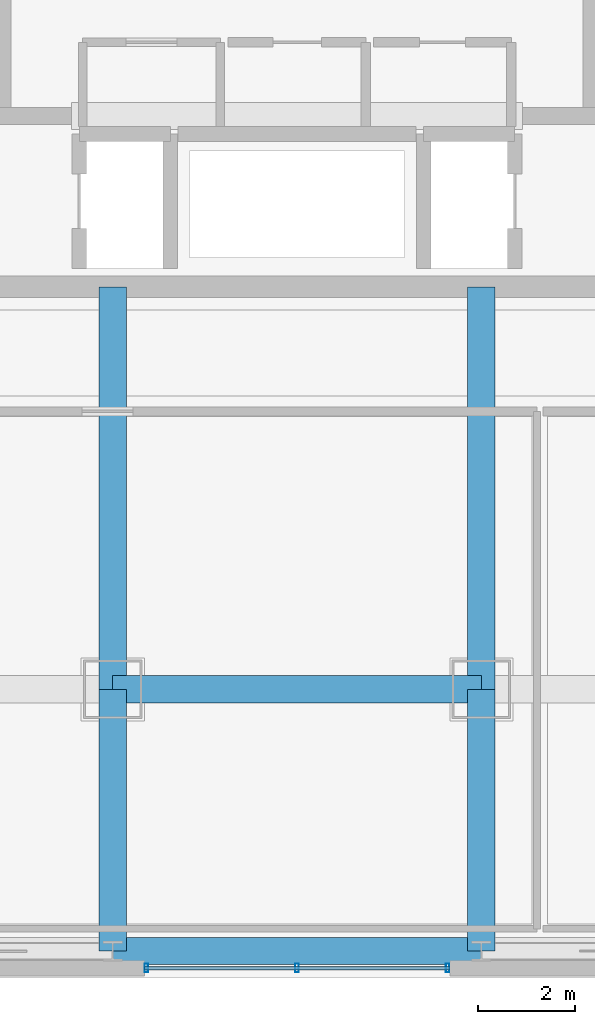
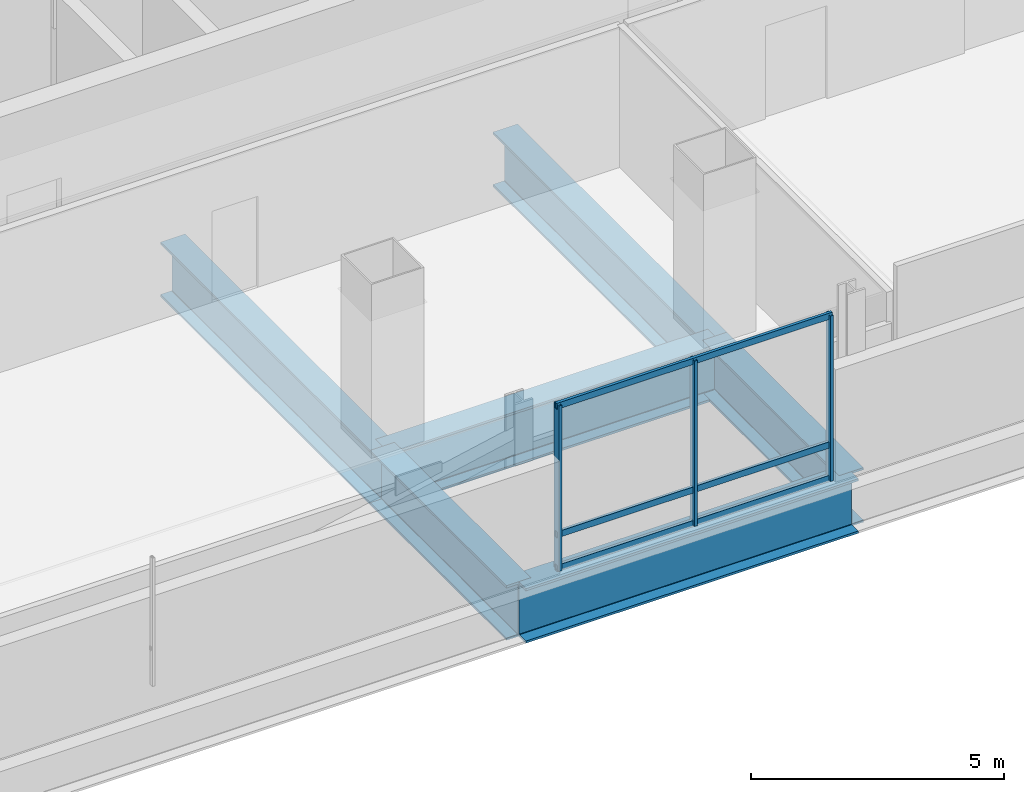
# One storey, part 2 of 28: 6 beams, 6 members, 1 element without a shape of its own.
"""IFC4 building model written with IfcOpenShell, lengths in metres."""

import ifcopenshell
import ifcopenshell.guid

model = None  # the IFC model being written
_history = None  # IfcOwnerHistory: only IFC2X3 demands one
_inside = {}  # id of a spatial element -> (the spatial element, [elements in it])
_under = {}  # id of a project, library or spatial element -> (it, [spatial elements below it])
_declared = {}  # id of a project -> (the project, [libraries it declares])
_typed = {}  # id of a type object -> (the type object, [elements of that type])
_made_of = {}  # id of a material, layer set ... -> (it, [elements and type objects made of it])


def new_model(schema):
    """Start an empty IFC model of exactly this schema.

    Asked for "IFC4X3", IfcOpenShell would pick the latest addendum, in which some entities
    have other attributes; the version numbers below select the first issue.
    IFC2X3 requires an IfcOwnerHistory on every rooted entity: one is made here for all.
    """
    global model, _history
    if schema == "IFC4X3":
        model = ifcopenshell.file(schema_version=(4, 3, 0, 0))
    else:
        model = ifcopenshell.file(schema=schema)
    _inside.clear()
    _under.clear()
    _declared.clear()
    _typed.clear()
    _made_of.clear()
    _history = None
    if model.schema == "IFC2X3":
        org = make("IfcOrganization", Name="unknown")
        user = make(
            "IfcPersonAndOrganization",
            ThePerson=make("IfcPerson", FamilyName="unknown"),
            TheOrganization=org,
        )
        app = make(
            "IfcApplication",
            ApplicationDeveloper=org,
            Version="unknown",
            ApplicationFullName="unknown",
            ApplicationIdentifier="unknown",
        )
        _history = make(
            "IfcOwnerHistory",
            OwningUser=user,
            OwningApplication=app,
            ChangeAction="ADDED",
            CreationDate=0,
        )
    return model


def make(cls, **values):
    """One entity of the class cls with the attributes given. An attribute that is None is left unset."""
    return model.create_entity(
        cls, **{name: value for name, value in values.items() if value is not None}
    )


def rooted(cls, **values):
    """An entity with a GlobalId (a new one), such as an element, a storey or a relation."""
    return make(cls, GlobalId=ifcopenshell.guid.new(), OwnerHistory=_history, **values)


def si_unit(unit_type, name, prefix=None):
    """IfcSIUnit, for example si_unit("LENGTHUNIT", "METRE", prefix="MILLI")."""
    return make("IfcSIUnit", UnitType=unit_type, Prefix=prefix, Name=name)


def assignment(units):
    """IfcUnitAssignment: the units of a project."""
    return None if units is None else make("IfcUnitAssignment", Units=units)


def point(xyz):
    """IfcCartesianPoint."""
    return None if xyz is None else make("IfcCartesianPoint", Coordinates=xyz)


def direction(xyz):
    """IfcDirection."""
    return None if xyz is None else make("IfcDirection", DirectionRatios=xyz)


def frame(location, z_axis=None, x_axis=None):
    """IfcAxis2Placement3D, a coordinate frame: its origin and axes. An axis left out is left unset."""
    return make(
        "IfcAxis2Placement3D",
        Location=point(location),
        Axis=direction(z_axis),
        RefDirection=direction(x_axis),
    )


def frame_2d(location, x_axis=None):
    """IfcAxis2Placement2D, a coordinate frame in the plane: its origin and x axis."""
    return make(
        "IfcAxis2Placement2D", Location=point(location), RefDirection=direction(x_axis)
    )


def origin():
    """The frame at (0, 0, 0) with its axes left unset."""
    return frame((0.0, 0.0, 0.0))


def origin_2d():
    """The frame at (0, 0) in the plane with its x axis left unset."""
    return frame_2d((0.0, 0.0))


def place(relative_to, where):
    """IfcLocalPlacement: puts the frame where relative to a parent placement (None: the world)."""
    return make(
        "IfcLocalPlacement", PlacementRelTo=relative_to, RelativePlacement=where
    )


def context(
    kind, dimensions, precision=None, world=None, true_north=None, identifier=None
):
    """IfcGeometricRepresentationContext, for example the 3D "Model" context."""
    return make(
        "IfcGeometricRepresentationContext",
        ContextIdentifier=identifier,
        ContextType=kind,
        CoordinateSpaceDimension=dimensions,
        Precision=precision,
        WorldCoordinateSystem=world,
        TrueNorth=true_north,
    )


def subcontext(parent, identifier, kind, view, scale=None):
    """IfcGeometricRepresentationSubContext, for example "Body" below "Model"."""
    return make(
        "IfcGeometricRepresentationSubContext",
        ContextIdentifier=identifier,
        ContextType=kind,
        ParentContext=parent,
        TargetScale=scale,
        TargetView=view,
    )


def project(units=None, contexts=None):
    """IfcProject with its units and contexts."""
    return rooted(
        "IfcProject",
        Name="project",
        RepresentationContexts=contexts,
        UnitsInContext=assignment(units),
    )


def spatial(cls, under=None, at=None, **own):
    """A site, building, storey or space (cls), placed at a placement, below another one or the project."""
    s = rooted(cls, ObjectPlacement=at, **own)
    if under is not None:
        _under.setdefault(under.id(), (under, []))[1].append(s)
    return s


def profile(cls, at=None, kind="AREA", **sizes):
    """A parametric profile (cls). Its sizes go by their IFC names, for example OverallWidth=200.0."""
    return make(cls, ProfileType=kind, Position=at, **sizes)


def hollow_rectangle(**sizes):
    """IfcRectangleHollowProfileDef."""
    return profile("IfcRectangleHollowProfileDef", **sizes)


def i_section(**sizes):
    """IfcIShapeProfileDef."""
    return profile("IfcIShapeProfileDef", **sizes)


def extrude(swept, where, along, depth):
    """IfcExtrudedAreaSolid: the profile swept, set in the frame where, extruded along a direction by depth."""
    return make(
        "IfcExtrudedAreaSolid",
        SweptArea=swept,
        Position=where,
        ExtrudedDirection=direction(along),
        Depth=depth,
    )


def shape(context_of_items, identifier, shape_type, items):
    """IfcShapeRepresentation: the items that make up one representation, for example the "Body"."""
    return make(
        "IfcShapeRepresentation",
        ContextOfItems=context_of_items,
        RepresentationIdentifier=identifier,
        RepresentationType=shape_type,
        Items=items,
    )


def material(Name=None, Category=None):
    """IfcMaterial."""
    return make("IfcMaterial", Name=Name, Category=Category)


def material_profile(
    of_material, cross_section, Name=None, Category=None, Priority=None
):
    """IfcMaterialProfile: a cross section and its material."""
    return make(
        "IfcMaterialProfile",
        Name=Name,
        Material=of_material,
        Profile=cross_section,
        Priority=Priority,
        Category=Category,
    )


def profile_set(profiles, Name=None, composite=None):
    """IfcMaterialProfileSet."""
    return make(
        "IfcMaterialProfileSet",
        Name=Name,
        MaterialProfiles=profiles,
        CompositeProfile=composite,
    )


def made_of(thing, what):
    """Note that an element or type object is made of a material, layer set ...; save() writes the relation."""
    if what is not None:
        _made_of.setdefault(what.id(), (what, []))[1].append(thing)
    return thing


def type_object(cls, material=None, **own):
    """A type object (cls), such as IfcWallType, which elements share."""
    return made_of(rooted(cls, **own), material)


def element(
    cls,
    number,
    at=None,
    inside=None,
    cuts=None,
    type_object=None,
    material=None,
    context=None,
    identifier="Body",
    shape_type=None,
    held_by="IfcProductDefinitionShape",
    body=None,
    shapes=None,
    **own,
):
    """One element of the class cls, such as IfcWall. Its Tag is "e" and its number.

    at: its placement. inside: the storey or other place that contains it. cuts: it is an
    opening in that element (IfcRelVoidsElement). A single representation is given by context,
    identifier, shape_type and body (its items); several are given by shapes. held_by: the class
    of the entity that holds the representations. save() writes the other relations.
    """
    e = rooted(cls, Tag="e%d" % number, ObjectPlacement=at, **own)
    if body is not None:
        shapes = [shape(context, identifier, shape_type, body)]
    if shapes is not None:
        e.Representation = make(held_by, Representations=shapes)
    if inside is not None:
        _inside.setdefault(inside.id(), (inside, []))[1].append(e)
    if cuts is not None:
        rooted(
            "IfcRelVoidsElement", RelatingBuildingElement=cuts, RelatedOpeningElement=e
        )
    if type_object is not None:
        _typed.setdefault(type_object.id(), (type_object, []))[1].append(e)
    return made_of(e, material)


def aggregate(whole, parts):
    """IfcRelAggregates: a whole, such as a stair, and the parts it consists of."""
    return rooted("IfcRelAggregates", RelatingObject=whole, RelatedObjects=parts)


def save(model, path):
    """Write the relations noted so far, then the file.

    IfcRelAggregates (storeys below a building ...), IfcRelContainedInSpatialStructure (elements
    in a storey), IfcRelDefinesByType, IfcRelAssociatesMaterial and IfcRelDeclares: one each for
    every whole, place, type object, material and project.
    """
    for whole, parts in _under.values():
        aggregate(whole, parts)
    for where, things in _inside.values():
        rooted(
            "IfcRelContainedInSpatialStructure",
            RelatedElements=things,
            RelatingStructure=where,
        )
    for kind, things in _typed.values():
        rooted("IfcRelDefinesByType", RelatedObjects=things, RelatingType=kind)
    for what, things in _made_of.values():
        rooted("IfcRelAssociatesMaterial", RelatedObjects=things, RelatingMaterial=what)
    for by, libraries in _declared.values():
        rooted("IfcRelDeclares", RelatingContext=by, RelatedDefinitions=libraries)
    model.write(path)


model = new_model("IFC4")

# Units and contexts
model_context = context("Model", 3, precision=1e-05, world=origin(), true_north=direction((0.0, 1.0)))
body_context = subcontext(model_context, "Body", "Model", "MODEL_VIEW")
ifc_project = project(units=[si_unit("LENGTHUNIT", "METRE"), si_unit("AREAUNIT", "SQUARE_METRE"), si_unit("VOLUMEUNIT", "CUBIC_METRE"), si_unit("PLANEANGLEUNIT", "RADIAN"), si_unit("MASSUNIT", "GRAM", prefix="KILO")], contexts=[model_context])

# Site, building, storey
site_placement = place(None, origin())
site = spatial("IfcSite", under=ifc_project, at=site_placement, CompositionType="ELEMENT")
building_placement = place(site_placement, origin())
building = spatial("IfcBuilding", under=site, at=building_placement, Name="Punatoya Terracotta Tower", CompositionType="ELEMENT")
storey_placement = place(building_placement, frame((0.0, 0.0, 317.39990234375)))
storey = spatial("IfcBuildingStorey", under=building, at=storey_placement, Name="L75", CompositionType="ELEMENT", Elevation=317.39990234375)

# Beams
ifc_material_1 = material(Name="Steel S460", Category="steel")
ifc_material_profile_1 = material_profile(ifc_material_1, i_section(OverallWidth=0.56005859375, OverallDepth=1.320068359375, WebThickness=0.035888671875, FlangeThickness=0.054931640625, FilletRadius=0.01806640625, at=origin_2d()))
ifc_profile_set_1 = profile_set([ifc_material_profile_1], Name="Steel S460")
beam_type = type_object("IfcBeamType", Name="BM-TG-BLK", PredefinedType="BEAM", material=ifc_profile_set_1)
beam_1_placement = place(storey_placement, frame((-3.800048828125, -17.5, -0.93994140625), z_axis=(1.0, 0.0, 0.0), x_axis=(0.0, 1.0, 0.0)))
element("IfcBeam", 1, at=beam_1_placement, inside=storey, type_object=beam_type, Name="BM-L75-RG-S2", PredefinedType="BEAM", context=body_context, shape_type="SweptSolid", body=[
    extrude(i_section(OverallWidth=0.56005859375, OverallDepth=1.320068359375, WebThickness=0.035888671875, FlangeThickness=0.054931640625, FilletRadius=0.01806640625, at=origin_2d()), origin(), (0.0, 0.0, 1.0), 7.60009765625),
])
for number, where, z_axis, x_axis, name in (
    (2, (-3.800048828125, -17.5, -0.93994140625), (0.0, 1.0, 0.0), (-1.0, 0.0, 0.0), "BM-L75-PR-S2"),
    (3, (3.800048828125, -17.5, -0.93994140625), (0.0, 1.0, 0.0), (-1.0, 0.0, 0.0), "BM-L75-PR-S3"),
):
    element("IfcBeam", number, at=place(storey_placement, frame(where, z_axis=z_axis, x_axis=x_axis)), inside=storey, type_object=beam_type, Name=name, PredefinedType="BEAM", context=body_context, shape_type="SweptSolid", body=[
        extrude(i_section(OverallWidth=0.56005859375, OverallDepth=1.320068359375, WebThickness=0.035888671875, FlangeThickness=0.054931640625, FilletRadius=0.01806640625, at=origin_2d()), origin(), (0.0, 0.0, 1.0), 8.300048828125),
    ])
for number, where, z_axis, x_axis, name in (
    (4, (-3.800048828125, -22.89990234375, -0.93994140625), (0.0, 1.0, 0.0), (-1.0, 0.0, 0.0), "BM-L75-CANT-S2"),
    (5, (3.800048828125, -22.89990234375, -0.93994140625), (0.0, 1.0, 0.0), (-1.0, 0.0, 0.0), "BM-L75-CANT-S3"),
):
    element("IfcBeam", number, at=place(storey_placement, frame(where, z_axis=z_axis, x_axis=x_axis)), inside=storey, type_object=beam_type, Name=name, PredefinedType="BEAM", context=body_context, shape_type="SweptSolid", body=[
        extrude(i_section(OverallWidth=0.56005859375, OverallDepth=1.320068359375, WebThickness=0.035888671875, FlangeThickness=0.054931640625, FilletRadius=0.01806640625, at=origin_2d()), origin(), (0.0, 0.0, 1.0), 5.39990234375),
    ])
beam_2_placement = place(storey_placement, frame((-3.800048828125, -22.89990234375, -0.93994140625), z_axis=(1.0, 0.0, 0.0), x_axis=(0.0, 1.0, 0.0)))
element("IfcBeam", 6, at=beam_2_placement, inside=storey, type_object=beam_type, Name="BM-L75-PER-S2", PredefinedType="BEAM", context=body_context, shape_type="SweptSolid", body=[
    extrude(i_section(OverallWidth=0.56005859375, OverallDepth=1.320068359375, WebThickness=0.035888671875, FlangeThickness=0.054931640625, FilletRadius=0.01806640625, at=origin_2d()), origin(), (0.0, 0.0, 1.0), 7.60009765625),
])

# Curtain wall, members
ifc_material_2 = material(Name="Aluminium 6063-T6 + Double Low-E Glass", Category="aluminium")
curtain_wall_type = type_object("IfcCurtainWallType", Name="CW-OBS", PredefinedType="NOTDEFINED", material=ifc_material_2)
curtain_wall_placement = place(storey_placement, origin())
curtain_wall = element("IfcCurtainWall", 7, at=curtain_wall_placement, inside=storey, type_object=curtain_wall_type, Name="L75 Curtain Wall CW-L75-S01-1", PredefinedType="NOTDEFINED")
ifc_material_3 = material(Name="Aluminium 6063-T6", Category="aluminium")
ifc_material_profile_2 = material_profile(ifc_material_3, hollow_rectangle(XDim=0.070068359375, YDim=0.179931640625, WallThickness=0.00390625, at=origin_2d()))
ifc_profile_set_2 = profile_set([ifc_material_profile_2], Name="Aluminium 6063-T6")
member_type_1 = type_object("IfcMemberType", Name="CW-MUL-M3", PredefinedType="MULLION", material=ifc_profile_set_2)
member_1_placement = place(storey_placement, frame((-3.10498046875, -23.25, 0.0), z_axis=(0.0, 0.0, 1.0), x_axis=(1.0, 0.0, 0.0)))
member_1 = element("IfcMember", 8, at=member_1_placement, type_object=member_type_1, Name="CW-L75-S01-1 Mullion 00", PredefinedType="MULLION", context=body_context, shape_type="SweptSolid", body=[
    extrude(hollow_rectangle(XDim=0.070068359375, YDim=0.179931640625, WallThickness=0.00390625, at=origin_2d()), origin(), (0.0, 0.0, 1.0), 4.0),
])
member_2_placement = place(storey_placement, frame((0.0, -23.25, 0.0), z_axis=(0.0, 0.0, 1.0), x_axis=(1.0, 0.0, 0.0)))
member_2 = element("IfcMember", 9, at=member_2_placement, type_object=member_type_1, Name="CW-L75-S01-1 Mullion 01", PredefinedType="MULLION", context=body_context, shape_type="SweptSolid", body=[
    extrude(hollow_rectangle(XDim=0.070068359375, YDim=0.179931640625, WallThickness=0.00390625, at=origin_2d()), origin(), (0.0, 0.0, 1.0), 4.0),
])
member_3_placement = place(storey_placement, frame((3.10498046875, -23.25, 0.0), z_axis=(0.0, 0.0, 1.0), x_axis=(1.0, 0.0, 0.0)))
member_3 = element("IfcMember", 10, at=member_3_placement, type_object=member_type_1, Name="CW-L75-S01-1 Mullion 02", PredefinedType="MULLION", context=body_context, shape_type="SweptSolid", body=[
    extrude(hollow_rectangle(XDim=0.070068359375, YDim=0.179931640625, WallThickness=0.00390625, at=origin_2d()), origin(), (0.0, 0.0, 1.0), 4.0),
])
ifc_material_profile_3 = material_profile(ifc_material_3, hollow_rectangle(XDim=0.068115234375, YDim=0.14990234375, WallThickness=0.00390625, at=origin_2d()))
ifc_profile_set_3 = profile_set([ifc_material_profile_3], Name="Aluminium 6063-T6")
member_type_2 = type_object("IfcMemberType", Name="CW-TRN-TYP", PredefinedType="USERDEFINED", material=ifc_profile_set_3)
member_4_placement = place(storey_placement, frame((-3.14990234375, -23.25, 0.0400390625), z_axis=(1.0, 0.0, 0.0), x_axis=(0.0, 1.0, 0.0)))
member_4 = element("IfcMember", 11, at=member_4_placement, type_object=member_type_2, Name="CW-L75-S01-1 Transom 1", ObjectType="TRANSOM", PredefinedType="USERDEFINED", context=body_context, shape_type="SweptSolid", body=[
    extrude(hollow_rectangle(XDim=0.068115234375, YDim=0.14990234375, WallThickness=0.00390625, at=origin_2d()), origin(), (0.0, 0.0, 1.0), 6.2998046875),
])
member_5_placement = place(storey_placement, frame((-3.14990234375, -23.25, 0.85009765625), z_axis=(1.0, 0.0, 0.0), x_axis=(0.0, 1.0, 0.0)))
member_5 = element("IfcMember", 12, at=member_5_placement, type_object=member_type_2, Name="CW-L75-S01-1 Transom 2", ObjectType="TRANSOM", PredefinedType="USERDEFINED", context=body_context, shape_type="SweptSolid", body=[
    extrude(hollow_rectangle(XDim=0.068115234375, YDim=0.14990234375, WallThickness=0.00390625, at=origin_2d()), origin(), (0.0, 0.0, 1.0), 6.2998046875),
])
member_6_placement = place(storey_placement, frame((-3.14990234375, -23.25, 3.960205078125), z_axis=(1.0, 0.0, 0.0), x_axis=(0.0, 1.0, 0.0)))
member_6 = element("IfcMember", 13, at=member_6_placement, type_object=member_type_2, Name="CW-L75-S01-1 Transom 3", ObjectType="TRANSOM", PredefinedType="USERDEFINED", context=body_context, shape_type="SweptSolid", body=[
    extrude(hollow_rectangle(XDim=0.068115234375, YDim=0.14990234375, WallThickness=0.00390625, at=origin_2d()), origin(), (0.0, 0.0, 1.0), 6.2998046875),
])
aggregate(curtain_wall, [member_1, member_2, member_3, member_4, member_5, member_6])

save(model, "model.ifc")
